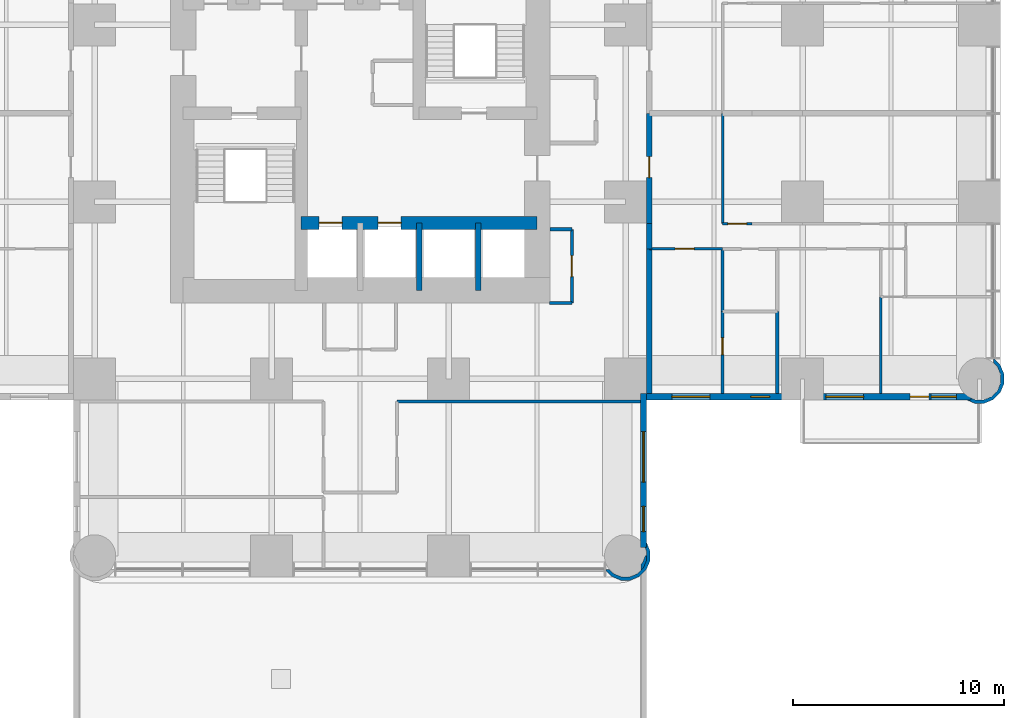
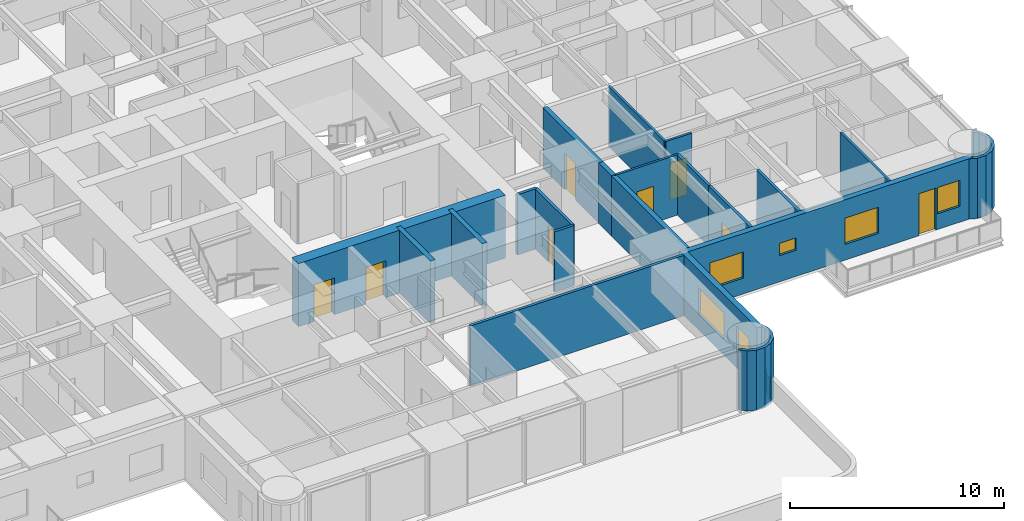
# One storey, part 8 of 14: 22 walls, 8 doors, 6 windows, 14 openings.
"""IFC4 building model written with IfcOpenShell, lengths in metres."""

from ifc_helpers import new_model, si_unit, direction, frame, frame_2d, origin, place, context, subcontext, project, spatial, polyline, rectangle, outline, extrude, material, layer, layer_set, type_object, element, fill, save


model = new_model("IFC4")

# Units and contexts
model_context = context("Model", 3, precision=1e-05, world=origin(), true_north=direction((0.0, 1.0)))
body_context = subcontext(model_context, "Body", "Model", "MODEL_VIEW")
ifc_project = project(units=[si_unit("LENGTHUNIT", "METRE"), si_unit("AREAUNIT", "SQUARE_METRE"), si_unit("VOLUMEUNIT", "CUBIC_METRE"), si_unit("PLANEANGLEUNIT", "RADIAN"), si_unit("MASSUNIT", "GRAM", prefix="KILO")], contexts=[model_context])

# Site, building, storey
site_placement = place(None, origin())
site = spatial("IfcSite", under=ifc_project, at=site_placement, CompositionType="ELEMENT")
building_placement = place(site_placement, origin())
building = spatial("IfcBuilding", under=site, at=building_placement, Name="Torre Alcanfor", CompositionType="ELEMENT")
storey_placement = place(building_placement, frame((0.0, 0.0, 108.89990234375)))
storey = spatial("IfcBuildingStorey", under=building, at=storey_placement, Name="L27", CompositionType="ELEMENT", Elevation=108.89990234375)

# Wall, opening, door
ifc_material_1 = material(Name="Concrete block masonry, hollow blocks NMX-C-404 9 MPa", Category="masonry")
ifc_layer_1 = layer(ifc_material_1, 0.25)
ifc_layer_set_1 = layer_set([ifc_layer_1], Name="Apartment entrance wall 250 EI 60")
wall_type_1 = type_object("IfcWallType", Name="Apartment entrance wall 250 EI 60", PredefinedType="PARTITIONING", material=ifc_layer_set_1)
wall_1_placement = place(storey_placement, frame((43.125, 29.39990234375, 0.0), z_axis=(0.0, 0.0, 1.0), x_axis=(0.0, -1.0, 0.0)))
wall_1 = element("IfcWall", 1, at=wall_1_placement, inside=storey, type_object=wall_type_1, Name="Partition L27-CORR / L27-E2-ZAG", PredefinedType="PARTITIONING", context=body_context, shape_type="SweptSolid", body=[
    extrude(rectangle(XDim=5.22900390625, YDim=0.25, at=frame_2d((2.614501953125, 0.0))), origin(), (0.0, 0.0, 1.0), 3.4501953125),
])
opening_1_placement = place(wall_1_placement, frame((2.050048828125, 0.0, 0.0)))
opening_1 = element("IfcOpeningElement", 2, at=opening_1_placement, cuts=wall_1, Name="Opening D-A1", PredefinedType="OPENING", context=body_context, shape_type="SweptSolid", body=[
    extrude(rectangle(XDim=1.0, YDim=2.10009765625, at=frame_2d((0.5, 1.050048828125))), frame((0.0, 0.135009765625, 0.0), z_axis=(0.0, -1.0, 0.0), x_axis=(1.0, 0.0, 0.0)), (0.0, 0.0, 1.0), 0.27001953125),
])
ifc_material_2 = material(Name="Galvanised steel sheet ASTM A653", Category="steel")
door_type_1 = type_object("IfcDoorType", Name="Apartment entrance door FD60 1000x2100", OperationType="SINGLE_SWING_LEFT", PredefinedType="DOOR", material=ifc_material_2)
door_1_placement = place(opening_1_placement, origin())
door_1 = element("IfcDoor", 3, at=door_1_placement, inside=storey, type_object=door_type_1, Name="Apartment entrance L27-E2", OperationType="SINGLE_SWING_LEFT", OverallHeight=2.10009765625, OverallWidth=1.0, PredefinedType="DOOR", context=body_context, shape_type="SweptSolid", body=[
    extrude(rectangle(XDim=1.0, YDim=2.10009765625, at=frame_2d((0.5, 1.050048828125))), frame((0.0, 0.02490234375, 0.0), z_axis=(0.0, -1.0, 0.0), x_axis=(1.0, 0.0, 0.0)), (0.0, 0.0, 1.0), 0.050048828125),
])
fill(opening_1, door_1)

# Walls
wall_2_placement = place(storey_placement, frame((43.125, 24.1708984375, 0.0), z_axis=(0.0, 0.0, 1.0), x_axis=(0.0, -1.0, 0.0)))
element("IfcWall", 4, at=wall_2_placement, inside=storey, type_object=wall_type_1, Name="Partition L27-CORR / L27-E2-HALL", PredefinedType="PARTITIONING", context=body_context, shape_type="SweptSolid", body=[
    extrude(rectangle(XDim=1.199951171875, YDim=0.25, at=frame_2d((0.60009765625, 0.0))), origin(), (0.0, 0.0, 1.0), 3.4501953125),
])
wall_3_placement = place(storey_placement, frame((43.125, 22.970947265625, 0.0), z_axis=(0.0, 0.0, 1.0), x_axis=(0.0, -1.0, 0.0)))
element("IfcWall", 5, at=wall_3_placement, inside=storey, type_object=wall_type_1, Name="Partition L27-CORR / L27-E2-SERV", PredefinedType="PARTITIONING", context=body_context, shape_type="SweptSolid", body=[
    extrude(rectangle(XDim=6.870849609375, YDim=0.25, at=frame_2d((3.435546875, 0.0))), origin(), (0.0, 0.0, 1.0), 3.4501953125),
])
ifc_material_3 = material(Name="Gypsum board on steel studs", Category="steel")
ifc_layer_2 = layer(ifc_material_3, 0.1201171875)
ifc_layer_set_2 = layer_set([ifc_layer_2], Name="Apartment partition 120")
wall_type_2 = type_object("IfcWallType", Name="Apartment partition 120", PredefinedType="PARTITIONING", material=ifc_layer_set_2)
wall_4_placement = place(storey_placement, frame((46.60009765625, 29.39990234375, 0.0), z_axis=(0.0, 0.0, 1.0), x_axis=(0.0, -1.0, 0.0)))
element("IfcWall", 6, at=wall_4_placement, inside=storey, type_object=wall_type_2, Name="Partition L27-E2-ZAG / L27-E2-LAUND", PredefinedType="PARTITIONING", context=body_context, shape_type="SweptSolid", body=[
    extrude(rectangle(XDim=5.22900390625, YDim=0.1201171875, at=frame_2d((2.614501953125, 0.0))), origin(), (0.0, 0.0, 1.0), 3.4501953125),
])

# Wall, opening, door
wall_5_placement = place(storey_placement, frame((48.0, 24.1708984375, 0.0), z_axis=(0.0, 0.0, 1.0), x_axis=(-1.0, 0.0, 0.0)))
wall_5 = element("IfcWall", 7, at=wall_5_placement, inside=storey, type_object=wall_type_2, Name="Partition L27-E2-LAUND / L27-E2-HALL", PredefinedType="PARTITIONING", context=body_context, shape_type="SweptSolid", body=[
    extrude(rectangle(XDim=1.39990234375, YDim=0.1201171875, at=frame_2d((0.699951171875, 0.0))), origin(), (0.0, 0.0, 1.0), 3.4501953125),
])
opening_2_placement = place(wall_5_placement, frame((0.25, 0.0, 0.0)))
opening_2 = element("IfcOpeningElement", 8, at=opening_2_placement, cuts=wall_5, Name="Opening D-R1", PredefinedType="OPENING", context=body_context, shape_type="SweptSolid", body=[
    extrude(rectangle(XDim=0.89990234375, YDim=2.10009765625, at=frame_2d((0.449951171875, 1.050048828125))), frame((0.0, 0.070068359375, 0.0), z_axis=(0.0, -1.0, 0.0), x_axis=(1.0, 0.0, 0.0)), (0.0, 0.0, 1.0), 0.14013671875),
])
ifc_material_4 = material(Name="Timber", Category="wood")
door_type_2 = type_object("IfcDoorType", Name="Internal door 900x2100", OperationType="SINGLE_SWING_LEFT", PredefinedType="DOOR", material=ifc_material_4)
door_2_placement = place(opening_2_placement, frame((0.89990234375, 0.0, 0.0), z_axis=(0.0, 0.0, 1.0), x_axis=(-1.0, 0.0, 0.0)))
door_2 = element("IfcDoor", 9, at=door_2_placement, inside=storey, type_object=door_type_2, Name="Door L27-E2 laund", OperationType="SINGLE_SWING_RIGHT", OverallHeight=2.10009765625, OverallWidth=0.89990234375, PredefinedType="DOOR", context=body_context, shape_type="SweptSolid", body=[
    extrude(rectangle(XDim=0.89990234375, YDim=2.10009765625, at=frame_2d((0.449951171875, 1.050048828125))), frame((0.0, 0.025146484375, 0.0), z_axis=(0.0, -1.0, 0.0), x_axis=(1.0, 0.0, 0.0)), (0.0, 0.0, 1.0), 0.050048828125),
])
fill(opening_2, door_2)

wall_6_placement = place(storey_placement, frame((46.60009765625, 22.970947265625, 0.0), z_axis=(0.0, 0.0, 1.0), x_axis=(-1.0, 0.0, 0.0)))
wall_6 = element("IfcWall", 10, at=wall_6_placement, inside=storey, type_object=wall_type_2, Name="Partition L27-E2-HALL / L27-E2-SERV", PredefinedType="PARTITIONING", context=body_context, shape_type="SweptSolid", body=[
    extrude(rectangle(XDim=3.47509765625, YDim=0.1201171875, at=frame_2d((1.737548828125, 0.0))), origin(), (0.0, 0.0, 1.0), 3.4501953125),
])
opening_3_placement = place(wall_6_placement, frame((1.35009765625, 0.0, 0.0)))
opening_3 = element("IfcOpeningElement", 11, at=opening_3_placement, cuts=wall_6, Name="Opening D-R1", PredefinedType="OPENING", context=body_context, shape_type="SweptSolid", body=[
    extrude(rectangle(XDim=0.89990234375, YDim=2.10009765625, at=frame_2d((0.449951171875, 1.050048828125))), frame((0.0, 0.070068359375, 0.0), z_axis=(0.0, -1.0, 0.0), x_axis=(1.0, 0.0, 0.0)), (0.0, 0.0, 1.0), 0.14013671875),
])
door_3_placement = place(opening_3_placement, origin())
door_3 = element("IfcDoor", 12, at=door_3_placement, inside=storey, type_object=door_type_2, Name="Door L27-E2 serv", OperationType="SINGLE_SWING_RIGHT", OverallHeight=2.10009765625, OverallWidth=0.89990234375, PredefinedType="DOOR", context=body_context, shape_type="SweptSolid", body=[
    extrude(rectangle(XDim=0.89990234375, YDim=2.10009765625, at=frame_2d((0.449951171875, 1.050048828125))), frame((0.0, 0.02490234375, 0.0), z_axis=(0.0, -1.0, 0.0), x_axis=(1.0, 0.0, 0.0)), (0.0, 0.0, 1.0), 0.050048828125),
])
fill(opening_3, door_3)

# Wall
wall_7_placement = place(storey_placement, frame((54.10009765625, 20.68603515625, 0.0), z_axis=(0.0, 0.0, 1.0), x_axis=(0.0, -1.0, 0.0)))
element("IfcWall", 13, at=wall_7_placement, inside=storey, type_object=wall_type_2, Name="Partition L27-E2-BED3 / L27-E2-MASTER", PredefinedType="PARTITIONING", context=body_context, shape_type="SweptSolid", body=[
    extrude(rectangle(XDim=4.5859375, YDim=0.1201171875, at=frame_2d((2.29296875, 0.0))), origin(), (0.0, 0.0, 1.0), 3.4501953125),
])

# Wall, openings, doors
ifc_material_5 = material(Name="Concrete f'c 70 MPa", Category="concrete")
ifc_layer_3 = layer(ifc_material_5, 0.60009765625)
ifc_layer_set_3 = layer_set([ifc_layer_3], Name="Core inner wall 600 f'c70")
wall_type_3 = type_object("IfcWallType", Name="Core inner wall 600 f'c70", PredefinedType="SHEAR", material=ifc_layer_set_3)
wall_8_placement = place(storey_placement, frame((26.60009765625, 24.199951171875, 0.0), z_axis=(0.0, 0.0, 1.0), x_axis=(1.0, 0.0, 0.0)))
wall_8 = element("IfcWall", 14, at=wall_8_placement, inside=storey, type_object=wall_type_3, Name="Core wall Y242 L27", PredefinedType="SHEAR", context=body_context, shape_type="SweptSolid", body=[
    extrude(rectangle(XDim=11.199951171875, YDim=0.60009765625, at=frame_2d((5.60009765625, 0.0))), origin(), (0.0, 0.0, 1.0), 3.60009765625),
])
opening_4_placement = place(wall_8_placement, frame((0.85009765625, 0.0, 0.0)))
opening_4 = element("IfcOpeningElement", 15, at=opening_4_placement, cuts=wall_8, Name="Opening LD1", PredefinedType="OPENING", context=body_context, shape_type="SweptSolid", body=[
    extrude(rectangle(XDim=1.10009765625, YDim=2.10009765625, at=frame_2d((0.550048828125, 1.050048828125))), frame((0.0, 0.31005859375, 0.0), z_axis=(0.0, -1.0, 0.0), x_axis=(1.0, 0.0, 0.0)), (0.0, 0.0, 1.0), 0.6201171875),
])
opening_5_placement = place(wall_8_placement, frame((3.64990234375, 0.0, 0.0)))
opening_5 = element("IfcOpeningElement", 16, at=opening_5_placement, cuts=wall_8, Name="Opening LD1", PredefinedType="OPENING", context=body_context, shape_type="SweptSolid", body=[
    extrude(rectangle(XDim=1.10009765625, YDim=2.10009765625, at=frame_2d((0.550048828125, 1.050048828125))), frame((0.0, 0.31005859375, 0.0), z_axis=(0.0, -1.0, 0.0), x_axis=(1.0, 0.0, 0.0)), (0.0, 0.0, 1.0), 0.6201171875),
])
ifc_material_6 = material(Name="Galvanised steel sheet ASTM A653", Category="steel")
door_type_3 = type_object("IfcDoorType", Name="Lift landing door 1100x2100", OperationType="DOUBLE_DOOR_SLIDING", PredefinedType="DOOR", material=ifc_material_6)
door_4_placement = place(opening_4_placement, origin())
door_4 = element("IfcDoor", 17, at=door_4_placement, inside=storey, type_object=door_type_3, Name="Lift landing door PA1 L27", OperationType="DOUBLE_DOOR_SLIDING", OverallHeight=2.10009765625, OverallWidth=1.10009765625, PredefinedType="DOOR", context=body_context, shape_type="SweptSolid", body=[
    extrude(rectangle(XDim=1.10009765625, YDim=2.10009765625, at=frame_2d((0.550048828125, 1.050048828125))), frame((0.0, 0.02490234375, 0.0), z_axis=(0.0, -1.0, 0.0), x_axis=(1.0, 0.0, 0.0)), (0.0, 0.0, 1.0), 0.050048828125),
])
fill(opening_4, door_4)
door_5_placement = place(opening_5_placement, origin())
door_5 = element("IfcDoor", 18, at=door_5_placement, inside=storey, type_object=door_type_3, Name="Lift landing door PA2 L27", OperationType="DOUBLE_DOOR_SLIDING", OverallHeight=2.10009765625, OverallWidth=1.10009765625, PredefinedType="DOOR", context=body_context, shape_type="SweptSolid", body=[
    extrude(rectangle(XDim=1.10009765625, YDim=2.10009765625, at=frame_2d((0.550048828125, 1.050048828125))), frame((0.0, 0.02490234375, 0.0), z_axis=(0.0, -1.0, 0.0), x_axis=(1.0, 0.0, 0.0)), (0.0, 0.0, 1.0), 0.050048828125),
])
fill(opening_5, door_5)

# Walls
ifc_material_7 = material(Name="Concrete f'c 70 MPa", Category="concrete")
ifc_layer_4 = layer(ifc_material_7, 0.25)
ifc_layer_set_4 = layer_set([ifc_layer_4], Name="Core shaft wall 250 f'c70")
wall_type_4 = type_object("IfcWallType", Name="Core shaft wall 250 f'c70", PredefinedType="SHEAR", material=ifc_layer_set_4)
for number, where, z_axis, x_axis, name in (
    (19, (32.199951171875, 21.0, 0.0), (0.0, 0.0, 1.0), (0.0, 1.0, 0.0), "Core wall X322S L27"),
    (20, (35.0, 21.0, 0.0), (0.0, 0.0, 1.0), (0.0, 1.0, 0.0), "Core wall X350S L27"),
):
    element("IfcWall", number, at=place(storey_placement, frame(where, z_axis=z_axis, x_axis=x_axis)), inside=storey, type_object=wall_type_4, Name=name, PredefinedType="SHEAR", context=body_context, shape_type="SweptSolid", body=[
        extrude(rectangle(XDim=3.199951171875, YDim=0.25, at=frame_2d((1.60009765625, 0.0))), origin(), (0.0, 0.0, 1.0), 3.60009765625),
    ])

# Wall, openings, windows
ifc_material_8 = material(Name="Limestone cladding", Category="masonry")
ifc_layer_5 = layer(ifc_material_8, 0.0400390625, Name="Facing")
ifc_material_9 = material(Name="Ventilated air cavity")
ifc_layer_6 = layer(ifc_material_9, 0.02001953125, ventilated=True, Name="Ventilated joint")
ifc_material_10 = material(Name="Mineral wool insulation", Category="insulation")
ifc_layer_7 = layer(ifc_material_10, 0.10009765625, Name="Insulation")
ifc_material_11 = material(Name="Concrete f'c 35 MPa", Category="concrete")
ifc_layer_8 = layer(ifc_material_11, 0.139892578125, Name="Backing")
ifc_layer_set_5 = layer_set([ifc_layer_5, ifc_layer_6, ifc_layer_7, ifc_layer_8], Name="External wall stone-clad 300")
wall_type_5 = type_object("IfcWallType", Name="External wall stone-clad 300", PredefinedType="SOLIDWALL", material=ifc_layer_set_5)
wall_9_placement = place(storey_placement, frame((42.85009765625, 8.800048828125, 0.0), z_axis=(0.0, 0.0, 1.0), x_axis=(0.0, 1.0, 0.0)))
wall_9 = element("IfcWall", 21, at=wall_9_placement, inside=storey, type_object=wall_type_5, Name="External wall L27 6", PredefinedType="SOLIDWALL", context=body_context, shape_type="SweptSolid", body=[
    extrude(rectangle(XDim=7.300048828125, YDim=0.300048828125, at=frame_2d((3.64990234375, 0.0))), origin(), (0.0, 0.0, 1.0), 3.4501953125),
])
opening_6_placement = place(wall_9_placement, frame((3.10009765625, 0.0, 0.89990234375)))
opening_6 = element("IfcOpeningElement", 22, at=opening_6_placement, cuts=wall_9, Name="Opening W1", PredefinedType="OPENING", context=body_context, shape_type="SweptSolid", body=[
    extrude(rectangle(XDim=2.39990234375, YDim=1.5, at=frame_2d((1.199951171875, 0.75))), frame((0.0, 0.159912109375, 0.0), z_axis=(0.0, -1.0, 0.0), x_axis=(1.0, 0.0, 0.0)), (0.0, 0.0, 1.0), 0.320068359375),
])
opening_7_placement = place(wall_9_placement, frame((0.75, 0.0, 0.89990234375)))
opening_7 = element("IfcOpeningElement", 23, at=opening_7_placement, cuts=wall_9, Name="Opening W4", PredefinedType="OPENING", context=body_context, shape_type="SweptSolid", body=[
    extrude(rectangle(XDim=1.199951171875, YDim=1.5, at=frame_2d((0.60009765625, 0.75))), frame((0.0, 0.159912109375, 0.0), z_axis=(0.0, -1.0, 0.0), x_axis=(1.0, 0.0, 0.0)), (0.0, 0.0, 1.0), 0.320068359375),
])
ifc_material_12 = material(Name="Aluminium frame with clear double glazing", Category="aluminium")
window_type_1 = type_object("IfcWindowType", Name="Window bedroom 1200x1500", PartitioningType="SINGLE_PANEL", PredefinedType="WINDOW", material=ifc_material_12)
window_1_placement = place(opening_7_placement, origin())
window_1 = element("IfcWindow", 24, at=window_1_placement, inside=storey, type_object=window_type_1, Name="Window W4 L27-S1", OverallHeight=1.5, OverallWidth=1.199951171875, PartitioningType="SINGLE_PANEL", PredefinedType="WINDOW", context=body_context, shape_type="SweptSolid", body=[
    extrude(rectangle(XDim=1.199951171875, YDim=1.5, at=frame_2d((0.60009765625, 0.75))), frame((0.0, 0.030029296875, 0.0), z_axis=(0.0, -1.0, 0.0), x_axis=(1.0, 0.0, 0.0)), (0.0, 0.0, 1.0), 0.06005859375),
])
fill(opening_7, window_1)
ifc_material_13 = material(Name="Aluminium frame with clear double glazing", Category="aluminium")
window_type_2 = type_object("IfcWindowType", Name="Window bedroom 2400x1500", PartitioningType="SINGLE_PANEL", PredefinedType="WINDOW", material=ifc_material_13)
window_2_placement = place(opening_6_placement, origin())
window_2 = element("IfcWindow", 25, at=window_2_placement, inside=storey, type_object=window_type_2, Name="Window W1 L27-S1", OverallHeight=1.5, OverallWidth=2.39990234375, PartitioningType="SINGLE_PANEL", PredefinedType="WINDOW", context=body_context, shape_type="SweptSolid", body=[
    extrude(rectangle(XDim=2.39990234375, YDim=1.5, at=frame_2d((1.199951171875, 0.75))), frame((0.0, 0.030029296875, 0.0), z_axis=(0.0, -1.0, 0.0), x_axis=(1.0, 0.0, 0.0)), (0.0, 0.0, 1.0), 0.06005859375),
])
fill(opening_6, window_2)

# Wall, openings, door, windows
wall_10_placement = place(storey_placement, frame((43.0, 15.949951171875, 0.0), z_axis=(0.0, 0.0, 1.0), x_axis=(1.0, 0.0, 0.0)))
wall_10 = element("IfcWall", 26, at=wall_10_placement, inside=storey, type_object=wall_type_5, Name="External wall L27 7", PredefinedType="SOLIDWALL", context=body_context, shape_type="SweptSolid", body=[
    extrude(rectangle(XDim=15.39990234375, YDim=0.300048828125, at=frame_2d((7.699951171875, 0.0))), origin(), (0.0, 0.0, 1.0), 3.4501953125),
])
opening_8_placement = place(wall_10_placement, frame((1.199951171875, 0.0, 0.89990234375)))
opening_8 = element("IfcOpeningElement", 27, at=opening_8_placement, cuts=wall_10, Name="Opening W2", PredefinedType="OPENING", context=body_context, shape_type="SweptSolid", body=[
    extrude(rectangle(XDim=1.800048828125, YDim=1.5, at=frame_2d((0.89990234375, 0.75))), frame((0.0, 0.159912109375, 0.0), z_axis=(0.0, -1.0, 0.0), x_axis=(1.0, 0.0, 0.0)), (0.0, 0.0, 1.0), 0.320068359375),
])
opening_9_placement = place(wall_10_placement, frame((4.949951171875, 0.0, 1.5)))
opening_9 = element("IfcOpeningElement", 28, at=opening_9_placement, cuts=wall_10, Name="Opening W3", PredefinedType="OPENING", context=body_context, shape_type="SweptSolid", body=[
    extrude(rectangle(XDim=0.89990234375, YDim=0.699951171875, at=frame_2d((0.449951171875, 0.35009765625))), frame((0.0, 0.159912109375, 0.0), z_axis=(0.0, -1.0, 0.0), x_axis=(1.0, 0.0, 0.0)), (0.0, 0.0, 1.0), 0.320068359375),
])
opening_10_placement = place(wall_10_placement, frame((8.5, 0.0, 0.89990234375)))
opening_10 = element("IfcOpeningElement", 29, at=opening_10_placement, cuts=wall_10, Name="Opening W2", PredefinedType="OPENING", context=body_context, shape_type="SweptSolid", body=[
    extrude(rectangle(XDim=1.800048828125, YDim=1.5, at=frame_2d((0.89990234375, 0.75))), frame((0.0, 0.159912109375, 0.0), z_axis=(0.0, -1.0, 0.0), x_axis=(1.0, 0.0, 0.0)), (0.0, 0.0, 1.0), 0.320068359375),
])
opening_11_placement = place(wall_10_placement, frame((12.5, 0.0, 0.0)))
opening_11 = element("IfcOpeningElement", 30, at=opening_11_placement, cuts=wall_10, Name="Opening D-B1", PredefinedType="OPENING", context=body_context, shape_type="SweptSolid", body=[
    extrude(rectangle(XDim=0.89990234375, YDim=2.39990234375, at=frame_2d((0.449951171875, 1.199951171875))), frame((0.0, 0.159912109375, 0.0), z_axis=(0.0, -1.0, 0.0), x_axis=(1.0, 0.0, 0.0)), (0.0, 0.0, 1.0), 0.320068359375),
])
opening_12_placement = place(wall_10_placement, frame((13.5, 0.0, 0.89990234375)))
opening_12 = element("IfcOpeningElement", 31, at=opening_12_placement, cuts=wall_10, Name="Opening W4", PredefinedType="OPENING", context=body_context, shape_type="SweptSolid", body=[
    extrude(rectangle(XDim=1.199951171875, YDim=1.5, at=frame_2d((0.60009765625, 0.75))), frame((0.0, 0.159912109375, 0.0), z_axis=(0.0, -1.0, 0.0), x_axis=(1.0, 0.0, 0.0)), (0.0, 0.0, 1.0), 0.320068359375),
])
ifc_material_14 = material(Name="Aluminium and glass", Category="aluminium")
door_type_4 = type_object("IfcDoorType", Name="Balcony door glazed 900x2400", OperationType="SINGLE_SWING_LEFT", PredefinedType="DOOR", material=ifc_material_14)
door_6_placement = place(opening_11_placement, origin())
door_6 = element("IfcDoor", 32, at=door_6_placement, inside=storey, type_object=door_type_4, Name="Balcony door L27-E2", OperationType="SINGLE_SWING_LEFT", OverallHeight=2.39990234375, OverallWidth=0.89990234375, PredefinedType="DOOR", context=body_context, shape_type="SweptSolid", body=[
    extrude(rectangle(XDim=0.89990234375, YDim=2.39990234375, at=frame_2d((0.449951171875, 1.199951171875))), frame((0.0, 0.02490234375, 0.0), z_axis=(0.0, -1.0, 0.0), x_axis=(1.0, 0.0, 0.0)), (0.0, 0.0, 1.0), 0.050048828125),
])
fill(opening_11, door_6)
ifc_material_15 = material(Name="Aluminium frame with clear double glazing", Category="aluminium")
window_type_3 = type_object("IfcWindowType", Name="Window bathroom 900x700", PartitioningType="SINGLE_PANEL", PredefinedType="WINDOW", material=ifc_material_15)
window_3_placement = place(opening_9_placement, origin())
window_3 = element("IfcWindow", 33, at=window_3_placement, inside=storey, type_object=window_type_3, Name="Window W3 L27-E2", OverallHeight=0.699951171875, OverallWidth=0.89990234375, PartitioningType="SINGLE_PANEL", PredefinedType="WINDOW", context=body_context, shape_type="SweptSolid", body=[
    extrude(rectangle(XDim=0.89990234375, YDim=0.699951171875, at=frame_2d((0.449951171875, 0.35009765625))), frame((0.0, 0.030029296875, 0.0), z_axis=(0.0, -1.0, 0.0), x_axis=(1.0, 0.0, 0.0)), (0.0, 0.0, 1.0), 0.06005859375),
])
fill(opening_9, window_3)
window_4_placement = place(opening_12_placement, origin())
window_4 = element("IfcWindow", 34, at=window_4_placement, inside=storey, type_object=window_type_1, Name="Window W4 L27-E2", OverallHeight=1.5, OverallWidth=1.199951171875, PartitioningType="SINGLE_PANEL", PredefinedType="WINDOW", context=body_context, shape_type="SweptSolid", body=[
    extrude(rectangle(XDim=1.199951171875, YDim=1.5, at=frame_2d((0.60009765625, 0.75))), frame((0.0, 0.030029296875, 0.0), z_axis=(0.0, -1.0, 0.0), x_axis=(1.0, 0.0, 0.0)), (0.0, 0.0, 1.0), 0.06005859375),
])
fill(opening_12, window_4)
ifc_material_16 = material(Name="Aluminium frame with clear double glazing", Category="aluminium")
window_type_4 = type_object("IfcWindowType", Name="Window bedroom 1800x1500", PartitioningType="SINGLE_PANEL", PredefinedType="WINDOW", material=ifc_material_16)
window_5_placement = place(opening_8_placement, origin())
window_5 = element("IfcWindow", 35, at=window_5_placement, inside=storey, type_object=window_type_4, Name="Window W2 L27-E2", OverallHeight=1.5, OverallWidth=1.800048828125, PartitioningType="SINGLE_PANEL", PredefinedType="WINDOW", context=body_context, shape_type="SweptSolid", body=[
    extrude(rectangle(XDim=1.800048828125, YDim=1.5, at=frame_2d((0.89990234375, 0.75))), frame((0.0, 0.030029296875, 0.0), z_axis=(0.0, -1.0, 0.0), x_axis=(1.0, 0.0, 0.0)), (0.0, 0.0, 1.0), 0.06005859375),
])
fill(opening_8, window_5)
window_6_placement = place(opening_10_placement, origin())
window_6 = element("IfcWindow", 36, at=window_6_placement, inside=storey, type_object=window_type_4, Name="Window W2 L27-E2", OverallHeight=1.5, OverallWidth=1.800048828125, PartitioningType="SINGLE_PANEL", PredefinedType="WINDOW", context=body_context, shape_type="SweptSolid", body=[
    extrude(rectangle(XDim=1.800048828125, YDim=1.5, at=frame_2d((0.89990234375, 0.75))), frame((0.0, 0.030029296875, 0.0), z_axis=(0.0, -1.0, 0.0), x_axis=(1.0, 0.0, 0.0)), (0.0, 0.0, 1.0), 0.06005859375),
])
fill(opening_10, window_6)

# Walls
ifc_layer_9 = layer(ifc_material_8, 0.0400390625, Name="Facing")
ifc_layer_10 = layer(ifc_material_9, 0.02001953125, ventilated=True, Name="Ventilated joint")
ifc_layer_11 = layer(ifc_material_11, 0.18994140625, Name="Backing")
ifc_layer_set_6 = layer_set([ifc_layer_9, ifc_layer_10, ifc_layer_11], Name="Parapet stone-clad 250")
wall_type_6 = type_object("IfcWallType", Name="Parapet stone-clad 250", PredefinedType="PARAPET", material=ifc_layer_set_6)
wall_11_placement = place(storey_placement, origin())
element("IfcWall", 37, at=wall_11_placement, inside=storey, type_object=wall_type_6, Name="Parapet L27 1", PredefinedType="PARAPET", context=body_context, shape_type="SweptSolid", body=[
    extrude(outline(polyline([(42.8125, 8.10009765625), (42.946044921875, 8.422607421875), (43.0, 8.422607421875), (43.0, 8.198486328125), (42.8486328125, 7.8330078125), (42.739990234375, 7.724365234375), (42.739990234375, 8.005615234375), (42.8125, 8.10009765625)])), origin(), (0.0, 0.0, 1.0), 1.25),
])
ifc_material_17 = material(Name="Concrete block masonry, hollow blocks NMX-C-404 9 MPa", Category="masonry")
ifc_layer_12 = layer(ifc_material_17, 0.14990234375)
ifc_layer_set_7 = layer_set([ifc_layer_12], Name="Residents' room partition 150")
wall_type_7 = type_object("IfcWallType", Name="Residents' room partition 150", PredefinedType="PARTITIONING", material=ifc_layer_set_7)
wall_12_placement = place(storey_placement, frame((38.39990234375, 20.39990234375, 0.0), z_axis=(0.0, 0.0, 1.0), x_axis=(1.0, 0.0, 0.0)))
element("IfcWall", 38, at=wall_12_placement, inside=storey, type_object=wall_type_7, Name="Partition L27-CORR / L27-G02", PredefinedType="PARTITIONING", context=body_context, shape_type="SweptSolid", body=[
    extrude(rectangle(XDim=1.050048828125, YDim=0.14990234375, at=frame_2d((0.52490234375, 0.0))), origin(), (0.0, 0.0, 1.0), 3.4501953125),
])

# Wall, opening, door
wall_13_placement = place(storey_placement, frame((39.449951171875, 20.39990234375, 0.0), z_axis=(0.0, 0.0, 1.0), x_axis=(0.0, 1.0, 0.0)))
wall_13 = element("IfcWall", 39, at=wall_13_placement, inside=storey, type_object=wall_type_7, Name="Partition L27-CORR / L27-G02", PredefinedType="PARTITIONING", context=body_context, shape_type="SweptSolid", body=[
    extrude(rectangle(XDim=3.5, YDim=0.14990234375, at=frame_2d((1.75, 0.0))), origin(), (0.0, 0.0, 1.0), 3.4501953125),
])
opening_13_placement = place(wall_13_placement, frame((1.25, 0.0, 0.0)))
opening_13 = element("IfcOpeningElement", 40, at=opening_13_placement, cuts=wall_13, Name="Opening D-M1", PredefinedType="OPENING", context=body_context, shape_type="SweptSolid", body=[
    extrude(rectangle(XDim=1.0, YDim=2.10009765625, at=frame_2d((0.5, 1.050048828125))), frame((0.0, 0.0849609375, 0.0), z_axis=(0.0, -1.0, 0.0), x_axis=(1.0, 0.0, 0.0)), (0.0, 0.0, 1.0), 0.169921875),
])
ifc_material_18 = material(Name="Timber", Category="wood")
door_type_5 = type_object("IfcDoorType", Name="Residents' room door 1000x2100", OperationType="SINGLE_SWING_LEFT", PredefinedType="DOOR", material=ifc_material_18)
door_7_placement = place(opening_13_placement, origin())
door_7 = element("IfcDoor", 41, at=door_7_placement, inside=storey, type_object=door_type_5, Name="Door L27-G02 bicycle store", OperationType="SINGLE_SWING_LEFT", OverallHeight=2.10009765625, OverallWidth=1.0, PredefinedType="DOOR", context=body_context, shape_type="SweptSolid", body=[
    extrude(rectangle(XDim=1.0, YDim=2.10009765625, at=frame_2d((0.5, 1.050048828125))), frame((0.0, 0.02490234375, 0.0), z_axis=(0.0, -1.0, 0.0), x_axis=(1.0, 0.0, 0.0)), (0.0, 0.0, 1.0), 0.050048828125),
])
fill(opening_13, door_7)

# Walls
wall_14_placement = place(storey_placement, frame((39.449951171875, 23.89990234375, 0.0), z_axis=(0.0, 0.0, 1.0), x_axis=(-1.0, 0.0, 0.0)))
element("IfcWall", 42, at=wall_14_placement, inside=storey, type_object=wall_type_7, Name="Partition L27-CORR / L27-G02", PredefinedType="PARTITIONING", context=body_context, shape_type="SweptSolid", body=[
    extrude(rectangle(XDim=1.050048828125, YDim=0.14990234375, at=frame_2d((0.52490234375, 0.0))), origin(), (0.0, 0.0, 1.0), 3.4501953125),
])
wall_15_placement = place(storey_placement, frame((42.699951171875, 15.72509765625, 0.0), z_axis=(0.0, 0.0, 1.0), x_axis=(-1.0, 0.0, 0.0)))
element("IfcWall", 43, at=wall_15_placement, inside=storey, type_object=wall_type_7, Name="Partition L27-CORR / L27-S-GYM", PredefinedType="PARTITIONING", context=body_context, shape_type="SweptSolid", body=[
    extrude(rectangle(XDim=11.556884765625, YDim=0.14990234375, at=frame_2d((5.7783203125, 0.0))), origin(), (0.0, 0.0, 1.0), 3.4501953125),
])
ifc_layer_13 = layer(ifc_material_8, 0.0400390625, Name="Facing")
ifc_layer_14 = layer(ifc_material_9, 0.02001953125, ventilated=True, Name="Ventilated joint")
ifc_layer_15 = layer(ifc_material_10, 0.10009765625, Name="Insulation")
ifc_layer_16 = layer(ifc_material_11, 0.139892578125, Name="Backing")
ifc_layer_set_8 = layer_set([ifc_layer_13, ifc_layer_14, ifc_layer_15, ifc_layer_16], Name="Rounded corner pier stone-clad 300")
wall_type_8 = type_object("IfcWallType", Name="Rounded corner pier stone-clad 300", PredefinedType="SOLIDWALL", material=ifc_layer_set_8)
wall_16_placement = place(storey_placement, frame((41.132476465, 7.756724852, 0.0), z_axis=(0.0, 0.0, 1.0), x_axis=(0.555974394895, -0.831199417842, 0.0)))
element("IfcWall", 44, at=wall_16_placement, inside=storey, type_object=wall_type_8, Name="Corner pier L27 16", PredefinedType="SOLIDWALL", context=body_context, shape_type="SweptSolid", body=[
    extrude(outline(polyline([(0.17108498574690434, 2.132345891404147), (0.11342823335353791, 2.066346826319491), (0.3386389453328157, 2.0214469340489503), (0.6696170338340346, 1.8000616220193866), (0.8907326344869404, 1.4688795297733332), (0.9680711298638802, 1.0781952999140485), (0.8904837757233157, 0.6877484444258126), (0.6689627277574985, 0.35656742637922195), (0.3377134419023271, 0.13579049120794148), (0.06224266940474544, 0.08095915744953744), (-0.03575867657032808, -0.06555597430881943), (0.004624302958637319, -0.09256742562327876), (0.39984692001530386, -0.014152483782431557), (0.7835599260177559, 0.2420254205252041), (1.0401008455369927, 0.6255622612776897), (1.1303777289319876, 1.0780143294079794), (1.0405398735410598, 1.5308100783409384), (0.784361969233424, 1.9145230843433905), (0.40082512848093865, 2.171064003862627), (-0.009319380088523843, 2.2530151387335655), (0.17108498574690434, 2.132345891404147)])), origin(), (0.0, 0.0, 1.0), 3.4501953125),
])
wall_17_placement = place(storey_placement, frame((58.23289825, 15.880872367, 0.0), z_axis=(0.0, 0.0, 1.0), x_axis=(0.831199417842, -0.555974394895, 0.0)))
element("IfcWall", 45, at=wall_17_placement, inside=storey, type_object=wall_type_8, Name="Corner pier L27 17", PredefinedType="SOLIDWALL", context=body_context, shape_type="SweptSolid", body=[
    extrude(outline(polyline([(0.07490720727941269, 2.077056255461323), (0.35058090932236585, 2.0223606576391724), (0.6817630015684193, 1.801245056986267), (0.903148313597983, 1.470266968485048), (0.9810743332201726, 1.079752919387694), (0.9033971723616075, 0.6891358831375273), (0.6822815717087017, 0.357953790891474), (0.3513034832074829, 0.13656847886191043), (0.12609277122820509, 0.09166858659136967), (0.18374952362157154, 0.02566952150671363), (0.0035480873315148972, -0.09486398988645157), (0.41362540229185946, -0.013251520497138292), (0.7971622430443449, 0.2432893990220985), (1.053204411415727, 0.6272053345699222), (1.1431780027429084, 1.0797981539575094), (1.0527653834116597, 1.5324531516331712), (0.796224463892423, 1.9159899923856565), (0.4125114578899711, 2.172167896693292), (0.01728884083330451, 2.2505828385341395), (-0.023094138695660904, 2.22357138721968), (0.07490720727941269, 2.077056255461323)])), origin(), (0.0, 0.0, 1.0), 3.4501953125),
])
ifc_material_19 = material(Name="Cement board on steel studs", Category="steel")
ifc_layer_17 = layer(ifc_material_19, 0.14990234375)
ifc_layer_set_9 = layer_set([ifc_layer_17], Name="Wet area partition 150")
wall_type_9 = type_object("IfcWallType", Name="Wet area partition 150", PredefinedType="PARTITIONING", material=ifc_layer_set_9)
wall_18_placement = place(storey_placement, frame((46.60009765625, 22.970947265625, 0.0), z_axis=(0.0, 0.0, 1.0), x_axis=(0.0, -1.0, 0.0)))
element("IfcWall", 46, at=wall_18_placement, inside=storey, type_object=wall_type_9, Name="Partition L27-E2-SERV / L27-E2-BATH1", PredefinedType="PARTITIONING", context=body_context, shape_type="SweptSolid", body=[
    extrude(rectangle(XDim=2.970947265625, YDim=0.14990234375, at=frame_2d((1.4853515625, 0.0))), origin(), (0.0, 0.0, 1.0), 3.4501953125),
])

# Wall, opening, door
wall_19_placement = place(storey_placement, frame((46.60009765625, 20.0, 0.0), z_axis=(0.0, 0.0, 1.0), x_axis=(0.0, -1.0, 0.0)))
wall_19 = element("IfcWall", 47, at=wall_19_placement, inside=storey, type_object=wall_type_9, Name="Partition L27-E2-SERV / L27-E2-SBATH", PredefinedType="PARTITIONING", context=body_context, shape_type="SweptSolid", body=[
    extrude(rectangle(XDim=3.89990234375, YDim=0.14990234375, at=frame_2d((1.949951171875, 0.0))), origin(), (0.0, 0.0, 1.0), 3.4501953125),
])
opening_14_placement = place(wall_19_placement, frame((1.25, 0.0, 0.0)))
opening_14 = element("IfcOpeningElement", 48, at=opening_14_placement, cuts=wall_19, Name="Opening D-R2", PredefinedType="OPENING", context=body_context, shape_type="SweptSolid", body=[
    extrude(rectangle(XDim=0.800048828125, YDim=2.10009765625, at=frame_2d((0.39990234375, 1.050048828125))), frame((0.0, 0.0849609375, 0.0), z_axis=(0.0, -1.0, 0.0), x_axis=(1.0, 0.0, 0.0)), (0.0, 0.0, 1.0), 0.169921875),
])
ifc_material_20 = material(Name="Timber", Category="wood")
door_type_6 = type_object("IfcDoorType", Name="Bathroom door 800x2100", OperationType="SINGLE_SWING_LEFT", PredefinedType="DOOR", material=ifc_material_20)
door_8_placement = place(opening_14_placement, origin())
door_8 = element("IfcDoor", 49, at=door_8_placement, inside=storey, type_object=door_type_6, Name="Door L27-E2 sbath", OperationType="SINGLE_SWING_LEFT", OverallHeight=2.10009765625, OverallWidth=0.800048828125, PredefinedType="DOOR", context=body_context, shape_type="SweptSolid", body=[
    extrude(rectangle(XDim=0.800048828125, YDim=2.10009765625, at=frame_2d((0.39990234375, 1.050048828125))), frame((0.0, 0.02490234375, 0.0), z_axis=(0.0, -1.0, 0.0), x_axis=(1.0, 0.0, 0.0)), (0.0, 0.0, 1.0), 0.050048828125),
])
fill(opening_14, door_8)

# Wall
wall_20_placement = place(storey_placement, frame((49.199951171875, 20.0, 0.0), z_axis=(0.0, 0.0, 1.0), x_axis=(0.0, -1.0, 0.0)))
element("IfcWall", 50, at=wall_20_placement, inside=storey, type_object=wall_type_9, Name="Partition L27-E2-SBATH / L27-E2-BED3", PredefinedType="PARTITIONING", context=body_context, shape_type="SweptSolid", body=[
    extrude(rectangle(XDim=3.89990234375, YDim=0.14990234375, at=frame_2d((1.949951171875, 0.0))), origin(), (0.0, 0.0, 1.0), 3.4501953125),
])

save(model, "model.ifc")
